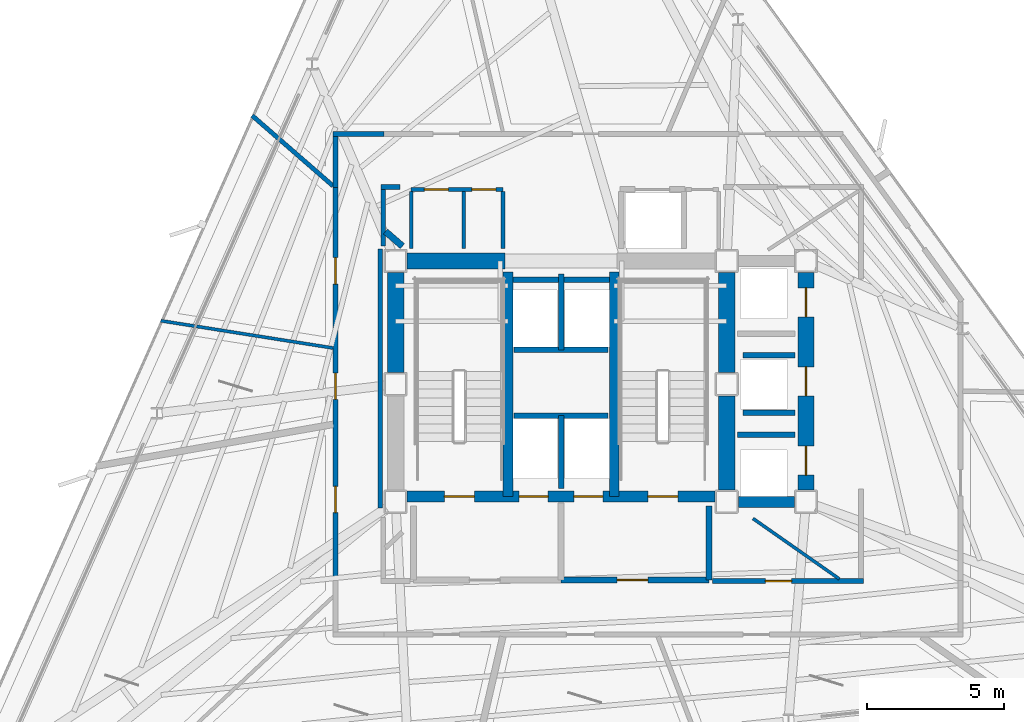
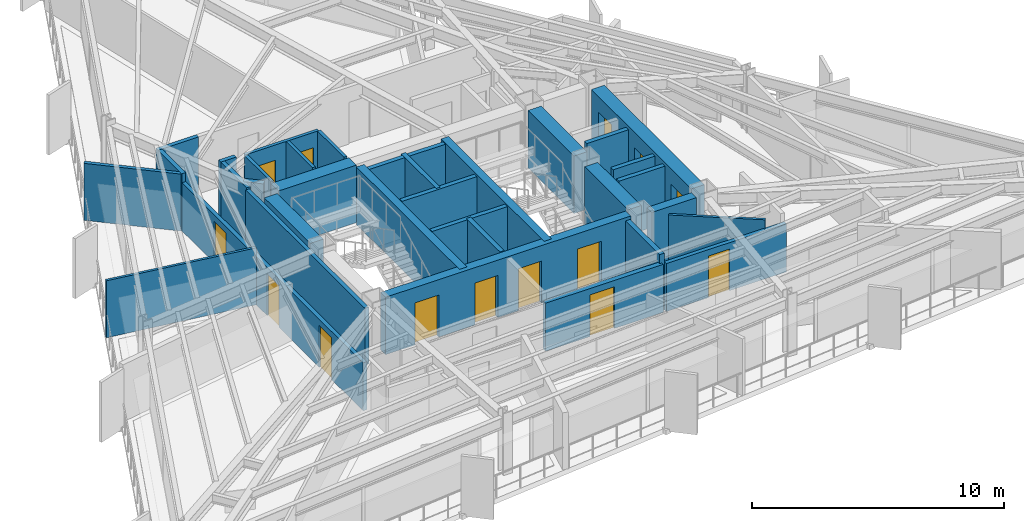
# One storey, part 8 of 12: 34 walls, 14 doors, 14 openings.
"""IFC4 building model written with IfcOpenShell, lengths in metres."""

from ifc_helpers import new_model, si_unit, direction, frame, frame_2d, origin, place, context, subcontext, project, spatial, rectangle, extrude, material, layer, layer_set, type_object, element, fill, save


model = new_model("IFC4")

# Units and contexts
model_context = context("Model", 3, precision=1e-05, world=origin(), true_north=direction((0.0, 1.0)))
body_context = subcontext(model_context, "Body", "Model", "MODEL_VIEW")
ifc_project = project(units=[si_unit("LENGTHUNIT", "METRE"), si_unit("AREAUNIT", "SQUARE_METRE"), si_unit("VOLUMEUNIT", "CUBIC_METRE"), si_unit("PLANEANGLEUNIT", "RADIAN"), si_unit("MASSUNIT", "GRAM", prefix="KILO")], contexts=[model_context])

# Site, building, storey
site_placement = place(None, origin())
site = spatial("IfcSite", under=ifc_project, at=site_placement, CompositionType="ELEMENT")
building_placement = place(site_placement, origin())
building = spatial("IfcBuilding", under=site, at=building_placement, Name="Rocaltana Carrier Exchange", CompositionType="ELEMENT")
storey_placement = place(building_placement, frame((0.0, 0.0, 113.760009765625)))
storey = spatial("IfcBuildingStorey", under=building, at=storey_placement, Name="L35", CompositionType="ELEMENT", Elevation=113.760009765625)

# Walls
ifc_material_1 = material(Name="Double Acoustic Gypsum Partition", Category="gypsum")
ifc_layer_1 = layer(ifc_material_1, 0.159912109375)
ifc_layer_set_1 = layer_set([ifc_layer_1], Name="Double Acoustic Gypsum Partition")
wall_type_1 = type_object("IfcWallType", Name="Acoustic Studio Partition 160 EI60", PredefinedType="PARTITIONING", material=ifc_layer_set_1)
wall_1_placement = place(storey_placement, frame((-8.330078125, 7.2412109375, 0.0), z_axis=(0.0, 0.0, 1.0), x_axis=(-0.754715330954, 0.656052413472, 0.0)))
element("IfcWall", 1, at=wall_1_placement, inside=storey, type_object=wall_type_1, Name="L35 Suite Divider Wall D14", PredefinedType="PARTITIONING", context=body_context, shape_type="SweptSolid", body=[
    extrude(rectangle(XDim=3.924560546875, YDim=0.159912109375, at=frame_2d((1.96240234375, 0.0))), origin(), (0.0, 0.0, 1.0), 2.762939453125),
])
ifc_material_2 = material(Name="Concrete C50/60", Category="concrete")
ifc_layer_2 = layer(ifc_material_2, 0.35009765625)
ifc_layer_set_2 = layer_set([ifc_layer_2], Name="Concrete C50/60")
wall_type_2 = type_object("IfcWallType", Name="Core Internal Shear Wall 350", PredefinedType="SHEAR", material=ifc_layer_set_2)
for number, where, z_axis, x_axis, name in (
    (2, (-1.93994140625, -4.10009765625, 0.0), (0.0, 0.0, 1.0), (0.0, 1.0, 0.0), "L35 Core Shear Wall CW-STW"),
    (3, (1.93994140625, -4.10009765625, 0.0), (0.0, 0.0, 1.0), (0.0, 1.0, 0.0), "L35 Core Shear Wall CW-STE"),
):
    element("IfcWall", number, at=place(storey_placement, frame(where, z_axis=z_axis, x_axis=x_axis)), inside=storey, type_object=wall_type_2, Name=name, PredefinedType="SHEAR", context=body_context, shape_type="SweptSolid", body=[
        extrude(rectangle(XDim=8.2001953125, YDim=0.35009765625, at=frame_2d((4.10009765625, 0.0))), origin(), (0.0, 0.0, 1.0), 2.7880859375),
    ])

# Wall, openings, doors
ifc_material_3 = material(Name="Concrete C50/60", Category="concrete")
ifc_layer_3 = layer(ifc_material_3, 0.39990234375)
ifc_layer_set_3 = layer_set([ifc_layer_3], Name="Concrete C50/60")
wall_type_3 = type_object("IfcWallType", Name="Core Internal Shear Wall 400", PredefinedType="SHEAR", material=ifc_layer_set_3)
wall_2_placement = place(storey_placement, frame((-5.625, -4.10009765625, 0.0), z_axis=(0.0, 0.0, 1.0), x_axis=(1.0, 0.0, 0.0)))
wall_2 = element("IfcWall", 4, at=wall_2_placement, inside=storey, type_object=wall_type_3, Name="L35 Core Shear Wall CW-S", PredefinedType="SHEAR", context=body_context, shape_type="SweptSolid", body=[
    extrude(rectangle(XDim=11.25, YDim=0.39990234375, at=frame_2d((5.625, 0.0))), origin(), (0.0, 0.0, 1.0), 2.7880859375),
])
opening_1_placement = place(wall_2_placement, frame((1.35498046875, 0.0, 0.0)))
opening_1 = element("IfcOpeningElement", 5, at=opening_1_placement, cuts=wall_2, Name="Opening D-ST110", PredefinedType="OPENING", context=body_context, shape_type="SweptSolid", body=[
    extrude(rectangle(XDim=1.10009765625, YDim=2.0400390625, at=frame_2d((0.550048828125, 1.02001953125))), frame((0.0, 0.2099609375, 0.0), z_axis=(0.0, -1.0, 0.0), x_axis=(1.0, 0.0, 0.0)), (0.0, 0.0, 1.0), 0.419921875),
])
opening_2_placement = place(wall_2_placement, frame((8.794921875, 0.0, 0.0)))
opening_2 = element("IfcOpeningElement", 6, at=opening_2_placement, cuts=wall_2, Name="Opening D-ST110", PredefinedType="OPENING", context=body_context, shape_type="SweptSolid", body=[
    extrude(rectangle(XDim=1.10009765625, YDim=2.0400390625, at=frame_2d((0.550048828125, 1.02001953125))), frame((0.0, 0.2099609375, 0.0), z_axis=(0.0, -1.0, 0.0), x_axis=(1.0, 0.0, 0.0)), (0.0, 0.0, 1.0), 0.419921875),
])
opening_3_placement = place(wall_2_placement, frame((4.094970703125, 0.0, 0.0)))
opening_3 = element("IfcOpeningElement", 7, at=opening_3_placement, cuts=wall_2, Name="Opening LD-110", PredefinedType="OPENING", context=body_context, shape_type="SweptSolid", body=[
    extrude(rectangle(XDim=1.06005859375, YDim=2.0400390625, at=frame_2d((0.530029296875, 1.02001953125))), frame((0.0, 0.2099609375, 0.0), z_axis=(0.0, -1.0, 0.0), x_axis=(1.0, 0.0, 0.0)), (0.0, 0.0, 1.0), 0.419921875),
])
opening_4_placement = place(wall_2_placement, frame((6.094970703125, 0.0, 0.0)))
opening_4 = element("IfcOpeningElement", 8, at=opening_4_placement, cuts=wall_2, Name="Opening LD-110", PredefinedType="OPENING", context=body_context, shape_type="SweptSolid", body=[
    extrude(rectangle(XDim=1.06005859375, YDim=2.0400390625, at=frame_2d((0.530029296875, 1.02001953125))), frame((0.0, 0.2099609375, 0.0), z_axis=(0.0, -1.0, 0.0), x_axis=(1.0, 0.0, 0.0)), (0.0, 0.0, 1.0), 0.419921875),
])
ifc_material_4 = material(Name="Hollow Metal Fire Door Assembly", Category="steel")
door_type_1 = type_object("IfcDoorType", Name="Exit Stair Fire Door 1100x2040 FD90S", OperationType="NOTDEFINED", PredefinedType="DOOR", material=ifc_material_4)
door_1_placement = place(opening_1_placement, origin())
door_1 = element("IfcDoor", 9, at=door_1_placement, inside=storey, type_object=door_type_1, Name="L35 Exit Stair ST1 Fire Door", OperationType="SINGLE_SWING_LEFT", OverallHeight=2.0400390625, OverallWidth=1.10009765625, PredefinedType="DOOR", context=body_context, shape_type="SweptSolid", body=[
    extrude(rectangle(XDim=1.10009765625, YDim=2.0400390625, at=frame_2d((0.550048828125, 1.02001953125))), frame((0.0, 0.02490234375, 0.0), z_axis=(0.0, -1.0, 0.0), x_axis=(1.0, 0.0, 0.0)), (0.0, 0.0, 1.0), 0.050048828125),
])
fill(opening_1, door_1)
door_2_placement = place(opening_2_placement, origin())
door_2 = element("IfcDoor", 10, at=door_2_placement, inside=storey, type_object=door_type_1, Name="L35 Exit Stair ST2 Fire Door", OperationType="SINGLE_SWING_RIGHT", OverallHeight=2.0400390625, OverallWidth=1.10009765625, PredefinedType="DOOR", context=body_context, shape_type="SweptSolid", body=[
    extrude(rectangle(XDim=1.10009765625, YDim=2.0400390625, at=frame_2d((0.550048828125, 1.02001953125))), frame((0.0, 0.02490234375, 0.0), z_axis=(0.0, -1.0, 0.0), x_axis=(1.0, 0.0, 0.0)), (0.0, 0.0, 1.0), 0.050048828125),
])
fill(opening_2, door_2)
ifc_material_5 = material(Name="Brushed Stainless Sliding Door Leaf", Category="steel")
door_type_2 = type_object("IfcDoorType", Name="Lift Landing Sliding Door 1060x2040", OperationType="NOTDEFINED", PredefinedType="DOOR", material=ifc_material_5)
door_3_placement = place(opening_3_placement, origin())
door_3 = element("IfcDoor", 11, at=door_3_placement, inside=storey, type_object=door_type_2, Name="L35 Firefighting Lift FFL1 Landing Door", OperationType="SLIDING_TO_LEFT", OverallHeight=2.0400390625, OverallWidth=1.06005859375, PredefinedType="DOOR", context=body_context, shape_type="SweptSolid", body=[
    extrude(rectangle(XDim=1.06005859375, YDim=2.0400390625, at=frame_2d((0.530029296875, 1.02001953125))), frame((0.0, 0.02490234375, 0.0), z_axis=(0.0, -1.0, 0.0), x_axis=(1.0, 0.0, 0.0)), (0.0, 0.0, 1.0), 0.050048828125),
])
fill(opening_3, door_3)
door_4_placement = place(opening_4_placement, origin())
door_4 = element("IfcDoor", 12, at=door_4_placement, inside=storey, type_object=door_type_2, Name="L35 Firefighting Lift FFL2 Landing Door", OperationType="SLIDING_TO_RIGHT", OverallHeight=2.0400390625, OverallWidth=1.06005859375, PredefinedType="DOOR", context=body_context, shape_type="SweptSolid", body=[
    extrude(rectangle(XDim=1.06005859375, YDim=2.0400390625, at=frame_2d((0.530029296875, 1.02001953125))), frame((0.0, 0.02490234375, 0.0), z_axis=(0.0, -1.0, 0.0), x_axis=(1.0, 0.0, 0.0)), (0.0, 0.0, 1.0), 0.050048828125),
])
fill(opening_4, door_4)

# Walls
wall_3_placement = place(storey_placement, frame((6.47509765625, -4.300048828125, 0.0), z_axis=(0.0, 0.0, 1.0), x_axis=(1.0, 0.0, 0.0)))
element("IfcWall", 13, at=wall_3_placement, inside=storey, type_object=wall_type_3, Name="L35 Core Shear Wall CW-EWS", PredefinedType="SHEAR", context=body_context, shape_type="SweptSolid", body=[
    extrude(rectangle(XDim=2.0498046875, YDim=0.39990234375, at=frame_2d((1.02490234375, 0.0))), origin(), (0.0, 0.0, 1.0), 2.7880859375),
])
ifc_material_6 = material(Name="Concrete C50/60", Category="concrete")
ifc_layer_4 = layer(ifc_material_6, 0.60009765625)
ifc_layer_set_4 = layer_set([ifc_layer_4], Name="Concrete C50/60")
wall_type_4 = type_object("IfcWallType", Name="Core Shear Wall 600", PredefinedType="SHEAR", material=ifc_layer_set_4)
for number, where, z_axis, x_axis, name in (
    (14, (-6.050048828125, 0.425048828125, 0.0), (0.0, 0.0, 1.0), (0.0, 1.0, 0.0), "L35 Core Shear Wall CW-WN"),
    (15, (6.050048828125, 0.425048828125, 0.0), (0.0, 0.0, 1.0), (0.0, 1.0, 0.0), "L35 Core Shear Wall CW-EN"),
):
    element("IfcWall", number, at=place(storey_placement, frame(where, z_axis=z_axis, x_axis=x_axis)), inside=storey, type_object=wall_type_4, Name=name, PredefinedType="SHEAR", context=body_context, shape_type="SweptSolid", body=[
        extrude(rectangle(XDim=3.64990234375, YDim=0.60009765625, at=frame_2d((1.824951171875, 0.0))), origin(), (0.0, 0.0, 1.0), 2.7880859375),
    ])
wall_4_placement = place(storey_placement, frame((6.050048828125, -3.875, 0.0), z_axis=(0.0, 0.0, 1.0), x_axis=(0.0, 1.0, 0.0)))
element("IfcWall", 16, at=wall_4_placement, inside=storey, type_object=wall_type_4, Name="L35 Core Shear Wall CW-ES", PredefinedType="SHEAR", context=body_context, shape_type="SweptSolid", body=[
    extrude(rectangle(XDim=3.449951171875, YDim=0.60009765625, at=frame_2d((1.72509765625, 0.0))), origin(), (0.0, 0.0, 1.0), 2.7880859375),
])
wall_5_placement = place(storey_placement, frame((-5.625, 4.5, 0.0), z_axis=(0.0, 0.0, 1.0), x_axis=(1.0, 0.0, 0.0)))
element("IfcWall", 17, at=wall_5_placement, inside=storey, type_object=wall_type_4, Name="L35 Core Shear Wall CW-N1", PredefinedType="SHEAR", context=body_context, shape_type="SweptSolid", body=[
    extrude(rectangle(XDim=3.574951171875, YDim=0.60009765625, at=frame_2d((1.78759765625, 0.0))), origin(), (0.0, 0.0, 1.0), 2.7880859375),
])

# Wall, openings, doors
wall_6_placement = place(storey_placement, frame((8.949951171875, -3.875, 0.0), z_axis=(0.0, 0.0, 1.0), x_axis=(0.0, 1.0, 0.0)))
wall_6 = element("IfcWall", 18, at=wall_6_placement, inside=storey, type_object=wall_type_4, Name="L35 Core Shear Wall CW-EW", PredefinedType="SHEAR", context=body_context, shape_type="SweptSolid", body=[
    extrude(rectangle(XDim=7.949951171875, YDim=0.60009765625, at=frame_2d((3.97509765625, 0.0))), origin(), (0.0, 0.0, 1.0), 2.7880859375),
])
opening_5_placement = place(wall_6_placement, frame((0.550048828125, 0.0, 0.0)))
opening_5 = element("IfcOpeningElement", 19, at=opening_5_placement, cuts=wall_6, Name="Opening LD-110", PredefinedType="OPENING", context=body_context, shape_type="SweptSolid", body=[
    extrude(rectangle(XDim=1.06005859375, YDim=2.0400390625, at=frame_2d((0.530029296875, 1.02001953125))), frame((0.0, 0.31005859375, 0.0), z_axis=(0.0, -1.0, 0.0), x_axis=(1.0, 0.0, 0.0)), (0.0, 0.0, 1.0), 0.6201171875),
])
opening_6_placement = place(wall_6_placement, frame((3.445068359375, 0.0, 0.0)))
opening_6 = element("IfcOpeningElement", 20, at=opening_6_placement, cuts=wall_6, Name="Opening LD-110", PredefinedType="OPENING", context=body_context, shape_type="SweptSolid", body=[
    extrude(rectangle(XDim=1.06005859375, YDim=2.0400390625, at=frame_2d((0.530029296875, 1.02001953125))), frame((0.0, 0.31005859375, 0.0), z_axis=(0.0, -1.0, 0.0), x_axis=(1.0, 0.0, 0.0)), (0.0, 0.0, 1.0), 0.6201171875),
])
opening_7_placement = place(wall_6_placement, frame((6.330078125, 0.0, 0.0)))
opening_7 = element("IfcOpeningElement", 21, at=opening_7_placement, cuts=wall_6, Name="Opening LD-110", PredefinedType="OPENING", context=body_context, shape_type="SweptSolid", body=[
    extrude(rectangle(XDim=1.06005859375, YDim=2.0400390625, at=frame_2d((0.530029296875, 1.02001953125))), frame((0.0, 0.31005859375, 0.0), z_axis=(0.0, -1.0, 0.0), x_axis=(1.0, 0.0, 0.0)), (0.0, 0.0, 1.0), 0.6201171875),
])
door_5_placement = place(opening_5_placement, origin())
door_5 = element("IfcDoor", 22, at=door_5_placement, inside=storey, type_object=door_type_2, Name="L35 Mid-Rise Lift PL-M1 Landing Door", OperationType="SLIDING_TO_LEFT", OverallHeight=2.0400390625, OverallWidth=1.06005859375, PredefinedType="DOOR", context=body_context, shape_type="SweptSolid", body=[
    extrude(rectangle(XDim=1.06005859375, YDim=2.0400390625, at=frame_2d((0.530029296875, 1.02001953125))), frame((0.0, 0.02490234375, 0.0), z_axis=(0.0, -1.0, 0.0), x_axis=(1.0, 0.0, 0.0)), (0.0, 0.0, 1.0), 0.050048828125),
])
fill(opening_5, door_5)
door_6_placement = place(opening_6_placement, origin())
door_6 = element("IfcDoor", 23, at=door_6_placement, inside=storey, type_object=door_type_2, Name="L35 Mid-Rise Lift PL-M2 Landing Door", OperationType="SLIDING_TO_RIGHT", OverallHeight=2.0400390625, OverallWidth=1.06005859375, PredefinedType="DOOR", context=body_context, shape_type="SweptSolid", body=[
    extrude(rectangle(XDim=1.06005859375, YDim=2.0400390625, at=frame_2d((0.530029296875, 1.02001953125))), frame((0.0, 0.02490234375, 0.0), z_axis=(0.0, -1.0, 0.0), x_axis=(1.0, 0.0, 0.0)), (0.0, 0.0, 1.0), 0.050048828125),
])
fill(opening_6, door_6)
door_7_placement = place(opening_7_placement, origin())
door_7 = element("IfcDoor", 24, at=door_7_placement, inside=storey, type_object=door_type_2, Name="L35 Mid-Rise Lift PL-M3 Landing Door", OperationType="SLIDING_TO_LEFT", OverallHeight=2.0400390625, OverallWidth=1.06005859375, PredefinedType="DOOR", context=body_context, shape_type="SweptSolid", body=[
    extrude(rectangle(XDim=1.06005859375, YDim=2.0400390625, at=frame_2d((0.530029296875, 1.02001953125))), frame((0.0, 0.02490234375, 0.0), z_axis=(0.0, -1.0, 0.0), x_axis=(1.0, 0.0, 0.0)), (0.0, 0.0, 1.0), 0.050048828125),
])
fill(opening_7, door_7)

ifc_material_7 = material(Name="Gypsum & Steel Stud Partition", Category="steel")
ifc_layer_5 = layer(ifc_material_7, 0.179931640625)
ifc_layer_set_5 = layer_set([ifc_layer_5], Name="Gypsum & Steel Stud Partition")
wall_type_5 = type_object("IfcWallType", Name="Corridor Fire Partition 180 EI60", PredefinedType="PARTITIONING", material=ifc_layer_set_5)
wall_7_placement = place(storey_placement, frame((-8.25, -7.219970703125, 0.0), z_axis=(0.0, 0.0, 1.0), x_axis=(0.0, 1.0, 0.0)))
wall_7 = element("IfcWall", 25, at=wall_7_placement, inside=storey, type_object=wall_type_5, Name="L35 Corridor Partition 3", PredefinedType="PARTITIONING", context=body_context, shape_type="SweptSolid", body=[
    extrude(rectangle(XDim=14.43994140625, YDim=0.179931640625, at=frame_2d((7.219970703125, 0.0))), origin(), (0.0, 0.0, 1.0), 2.330078125),
])
opening_8_placement = place(wall_7_placement, frame((6.665283203125, 0.0, 0.0)))
opening_8 = element("IfcOpeningElement", 26, at=opening_8_placement, cuts=wall_7, Name="Opening D-RM098", PredefinedType="OPENING", context=body_context, shape_type="SweptSolid", body=[
    extrude(rectangle(XDim=0.9599609375, YDim=2.02001953125, at=frame_2d((0.47998046875, 1.010009765625))), frame((0.0, 0.099853515625, 0.0), z_axis=(0.0, -1.0, 0.0), x_axis=(1.0, 0.0, 0.0)), (0.0, 0.0, 1.0), 0.199951171875),
])
opening_9_placement = place(wall_7_placement, frame((2.525146484375, 0.0, 0.0)))
opening_9 = element("IfcOpeningElement", 27, at=opening_9_placement, cuts=wall_7, Name="Opening D-RM098", PredefinedType="OPENING", context=body_context, shape_type="SweptSolid", body=[
    extrude(rectangle(XDim=0.9599609375, YDim=2.02001953125, at=frame_2d((0.47998046875, 1.010009765625))), frame((0.0, 0.099853515625, 0.0), z_axis=(0.0, -1.0, 0.0), x_axis=(1.0, 0.0, 0.0)), (0.0, 0.0, 1.0), 0.199951171875),
])
opening_10_placement = place(wall_7_placement, frame((10.8798828125, 0.0, 0.0)))
opening_10 = element("IfcOpeningElement", 28, at=opening_10_placement, cuts=wall_7, Name="Opening D-RM098", PredefinedType="OPENING", context=body_context, shape_type="SweptSolid", body=[
    extrude(rectangle(XDim=0.9599609375, YDim=2.02001953125, at=frame_2d((0.47998046875, 1.010009765625))), frame((0.0, 0.099853515625, 0.0), z_axis=(0.0, -1.0, 0.0), x_axis=(1.0, 0.0, 0.0)), (0.0, 0.0, 1.0), 0.199951171875),
])
ifc_material_8 = material(Name="Engineered Hardwood Timber", Category="wood")
door_type_3 = type_object("IfcDoorType", Name="Workspace Single Door 960x2020", OperationType="NOTDEFINED", PredefinedType="DOOR", material=ifc_material_8)
door_8_placement = place(opening_8_placement, origin())
door_8 = element("IfcDoor", 29, at=door_8_placement, inside=storey, type_object=door_type_3, Name="L35 Peering Conference Room Entrance Door", OperationType="SINGLE_SWING_RIGHT", OverallHeight=2.02001953125, OverallWidth=0.9599609375, PredefinedType="DOOR", context=body_context, shape_type="SweptSolid", body=[
    extrude(rectangle(XDim=0.9599609375, YDim=2.02001953125, at=frame_2d((0.47998046875, 1.010009765625))), frame((0.0, 0.02490234375, 0.0), z_axis=(0.0, -1.0, 0.0), x_axis=(1.0, 0.0, 0.0)), (0.0, 0.0, 1.0), 0.050048828125),
])
fill(opening_8, door_8)
door_9_placement = place(opening_9_placement, origin())
door_9 = element("IfcDoor", 30, at=door_9_placement, inside=storey, type_object=door_type_3, Name="L35 Incident Briefing Room Entrance Door", OperationType="SINGLE_SWING_LEFT", OverallHeight=2.02001953125, OverallWidth=0.9599609375, PredefinedType="DOOR", context=body_context, shape_type="SweptSolid", body=[
    extrude(rectangle(XDim=0.9599609375, YDim=2.02001953125, at=frame_2d((0.47998046875, 1.010009765625))), frame((0.0, 0.02490234375, 0.0), z_axis=(0.0, -1.0, 0.0), x_axis=(1.0, 0.0, 0.0)), (0.0, 0.0, 1.0), 0.050048828125),
])
fill(opening_9, door_9)
door_10_placement = place(opening_10_placement, origin())
door_10 = element("IfcDoor", 31, at=door_10_placement, inside=storey, type_object=door_type_3, Name="L35 Peering Conference Room Entrance Door", OperationType="SINGLE_SWING_RIGHT", OverallHeight=2.02001953125, OverallWidth=0.9599609375, PredefinedType="DOOR", context=body_context, shape_type="SweptSolid", body=[
    extrude(rectangle(XDim=0.9599609375, YDim=2.02001953125, at=frame_2d((0.47998046875, 1.010009765625))), frame((0.0, 0.02490234375, 0.0), z_axis=(0.0, -1.0, 0.0), x_axis=(1.0, 0.0, 0.0)), (0.0, 0.0, 1.0), 0.050048828125),
])
fill(opening_10, door_10)

# Walls
wall_8_placement = place(storey_placement, frame((-8.25, 7.179931640625, 0.0), z_axis=(0.0, 0.0, 1.0), x_axis=(0.0, 1.0, 0.0)))
element("IfcWall", 32, at=wall_8_placement, inside=storey, type_object=wall_type_5, Name="L35 Corridor Partition 4", PredefinedType="PARTITIONING", context=body_context, shape_type="SweptSolid", body=[
    extrude(rectangle(XDim=1.880126953125, YDim=0.179931640625, at=frame_2d((0.93994140625, 0.0))), origin(), (0.0, 0.0, 1.0), 2.762939453125),
])
wall_9_placement = place(storey_placement, frame((-8.340087890625, 9.14990234375, 0.0), z_axis=(0.0, 0.0, 1.0), x_axis=(1.0, 0.0, 0.0)))
element("IfcWall", 33, at=wall_9_placement, inside=storey, type_object=wall_type_5, Name="L35 Corridor Partition 5", PredefinedType="PARTITIONING", context=body_context, shape_type="SweptSolid", body=[
    extrude(rectangle(XDim=1.860107421875, YDim=0.179931640625, at=frame_2d((0.93017578125, 0.0))), origin(), (0.0, 0.0, 1.0), 2.762939453125),
])

# Wall, opening, door
wall_10_placement = place(storey_placement, frame((5.530029296875, -7.199951171875, 0.0), z_axis=(0.0, 0.0, 1.0), x_axis=(1.0, 0.0, 0.0)))
wall_10 = element("IfcWall", 34, at=wall_10_placement, inside=storey, type_object=wall_type_5, Name="L35 Corridor Partition 12", PredefinedType="PARTITIONING", context=body_context, shape_type="SweptSolid", body=[
    extrude(rectangle(XDim=5.52001953125, YDim=0.179931640625, at=frame_2d((2.760009765625, 0.0))), origin(), (0.0, 0.0, 1.0), 2.330078125),
])
opening_11_placement = place(wall_10_placement, frame((1.939697265625, 0.0, 0.0)))
opening_11 = element("IfcOpeningElement", 35, at=opening_11_placement, cuts=wall_10, Name="Opening D-RM098", PredefinedType="OPENING", context=body_context, shape_type="SweptSolid", body=[
    extrude(rectangle(XDim=0.9599609375, YDim=2.02001953125, at=frame_2d((0.47998046875, 1.010009765625))), frame((0.0, 0.099853515625, 0.0), z_axis=(0.0, -1.0, 0.0), x_axis=(1.0, 0.0, 0.0)), (0.0, 0.0, 1.0), 0.199951171875),
])
door_11_placement = place(opening_11_placement, origin())
door_11 = element("IfcDoor", 36, at=door_11_placement, inside=storey, type_object=door_type_3, Name="L35 Peering Conference Room Entrance Door", OperationType="SINGLE_SWING_LEFT", OverallHeight=2.02001953125, OverallWidth=0.9599609375, PredefinedType="DOOR", context=body_context, shape_type="SweptSolid", body=[
    extrude(rectangle(XDim=0.9599609375, YDim=2.02001953125, at=frame_2d((0.47998046875, 1.010009765625))), frame((0.0, 0.02490234375, 0.0), z_axis=(0.0, -1.0, 0.0), x_axis=(1.0, 0.0, 0.0)), (0.0, 0.0, 1.0), 0.050048828125),
])
fill(opening_11, door_11)

# Walls
wall_11_placement = place(storey_placement, frame((-5.8798828125, 7.199951171875, 0.0), z_axis=(0.0, 0.0, 1.0), x_axis=(-1.0, 0.0, 0.0)))
element("IfcWall", 37, at=wall_11_placement, inside=storey, type_object=wall_type_5, Name="L35 Corridor Partition 16", PredefinedType="PARTITIONING", context=body_context, shape_type="SweptSolid", body=[
    extrude(rectangle(XDim=0.710205078125, YDim=0.179931640625, at=frame_2d((0.35498046875, 0.0))), origin(), (0.0, 0.0, 1.0), 2.762939453125),
])
wall_12_placement = place(storey_placement, frame((-6.5, 7.110107421875, 0.0), z_axis=(0.0, 0.0, 1.0), x_axis=(0.0, -1.0, 0.0)))
element("IfcWall", 38, at=wall_12_placement, inside=storey, type_object=wall_type_5, Name="L35 Corridor Partition 17", PredefinedType="PARTITIONING", context=body_context, shape_type="SweptSolid", body=[
    extrude(rectangle(XDim=2.058349609375, YDim=0.179931640625, at=frame_2d((1.029296875, 0.0))), origin(), (0.0, 0.0, 1.0), 2.762939453125),
])
wall_13_placement = place(storey_placement, frame((-6.610107421875, 4.93994140625, 0.0), z_axis=(0.0, 0.0, 1.0), x_axis=(0.0, -1.0, 0.0)))
element("IfcWall", 39, at=wall_13_placement, inside=storey, type_object=wall_type_5, Name="L35 Corridor Partition 18", PredefinedType="PARTITIONING", context=body_context, shape_type="SweptSolid", body=[
    extrude(rectangle(XDim=9.4599609375, YDim=0.179931640625, at=frame_2d((4.72998046875, 0.0))), origin(), (0.0, 0.0, 1.0), 2.762939453125),
])
ifc_material_9 = material(Name="Aluminium 6063-T6 & Acoustic Glass", Category="aluminium")
ifc_layer_6 = layer(ifc_material_9, 0.114990234375)
ifc_layer_set_6 = layer_set([ifc_layer_6], Name="Aluminium 6063-T6 & Acoustic Glass")
wall_type_6 = type_object("IfcWallType", Name="Demountable Glazed Lab Partition 115", PredefinedType="MOVABLE", material=ifc_layer_set_6)
wall_14_placement = place(storey_placement, frame((7.01220703125, -4.909912109375, 0.0), z_axis=(0.0, 0.0, 1.0), x_axis=(0.819130700295, -0.573606917526, 0.0)))
element("IfcWall", 40, at=wall_14_placement, inside=storey, type_object=wall_type_6, Name="L35 Suite Divider Wall D6", PredefinedType="MOVABLE", context=body_context, shape_type="SweptSolid", body=[
    extrude(rectangle(XDim=3.853271484375, YDim=0.114990234375, at=frame_2d((1.9267578125, 0.0))), origin(), (0.0, 0.0, 1.0), 2.762939453125),
])
wall_15_placement = place(storey_placement, frame((-8.330078125, 1.3193359375, 0.0), z_axis=(0.0, 0.0, 1.0), x_axis=(-0.987684953503, 0.156455848798, 0.0)))
element("IfcWall", 41, at=wall_15_placement, inside=storey, type_object=wall_type_6, Name="L35 Suite Divider Wall D15", PredefinedType="MOVABLE", context=body_context, shape_type="SweptSolid", body=[
    extrude(rectangle(XDim=6.379150390625, YDim=0.114990234375, at=frame_2d((3.189453125, 0.0))), origin(), (0.0, 0.0, 1.0), 2.762939453125),
])
ifc_material_10 = material(Name="Autoclaved Aerated Concrete C30/37", Category="concrete")
ifc_layer_7 = layer(ifc_material_10, 0.219970703125)
ifc_layer_set_7 = layer_set([ifc_layer_7], Name="Autoclaved Aerated Concrete C30/37")
wall_type_7 = type_object("IfcWallType", Name="Firefighting Lobby Wall 220 EI120", PredefinedType="PARTITIONING", material=ifc_layer_set_7)
wall_16_placement = place(storey_placement, frame((5.39990234375, -7.159912109375, 0.0), z_axis=(0.0, 0.0, 1.0), x_axis=(0.0, 1.0, 0.0)))
element("IfcWall", 42, at=wall_16_placement, inside=storey, type_object=wall_type_7, Name="L35 FFL Lobby 2 East Wall", PredefinedType="PARTITIONING", context=body_context, shape_type="SweptSolid", body=[
    extrude(rectangle(XDim=2.7099609375, YDim=0.219970703125, at=frame_2d((1.35498046875, 0.0))), origin(), (0.0, 0.0, 1.0), 2.762939453125),
])

# Wall, opening, door
wall_17_placement = place(storey_placement, frame((0.0, -7.159912109375, 0.0), z_axis=(0.0, 0.0, 1.0), x_axis=(1.0, 0.0, 0.0)))
wall_17 = element("IfcWall", 43, at=wall_17_placement, inside=storey, type_object=wall_type_7, Name="L35 FFL Lobby 2 South Wall", PredefinedType="PARTITIONING", context=body_context, shape_type="SweptSolid", body=[
    extrude(rectangle(XDim=5.39990234375, YDim=0.219970703125, at=frame_2d((2.699951171875, 0.0))), origin(), (0.0, 0.0, 1.0), 2.330078125),
])
opening_12_placement = place(wall_17_placement, frame((2.050048828125, 0.0, 0.0)))
opening_12 = element("IfcOpeningElement", 44, at=opening_12_placement, cuts=wall_17, Name="Opening D-FF115", PredefinedType="OPENING", context=body_context, shape_type="SweptSolid", body=[
    extrude(rectangle(XDim=1.1201171875, YDim=2.02001953125, at=frame_2d((0.56005859375, 1.010009765625))), frame((0.0, 0.119873046875, 0.0), z_axis=(0.0, -1.0, 0.0), x_axis=(1.0, 0.0, 0.0)), (0.0, 0.0, 1.0), 0.239990234375),
])
ifc_material_11 = material(Name="Hollow Metal Fire Door Assembly", Category="steel")
door_type_4 = type_object("IfcDoorType", Name="Firefighting Lobby Door 1120x2020 FD60S", OperationType="NOTDEFINED", PredefinedType="DOOR", material=ifc_material_11)
door_12_placement = place(opening_12_placement, origin())
door_12 = element("IfcDoor", 45, at=door_12_placement, inside=storey, type_object=door_type_4, Name="L35 Firefighting Lift Lobby 2 Door", OperationType="SINGLE_SWING_RIGHT", OverallHeight=2.02001953125, OverallWidth=1.1201171875, PredefinedType="DOOR", context=body_context, shape_type="SweptSolid", body=[
    extrude(rectangle(XDim=1.1201171875, YDim=2.02001953125, at=frame_2d((0.56005859375, 1.010009765625))), frame((0.0, 0.02490234375, 0.0), z_axis=(0.0, -1.0, 0.0), x_axis=(1.0, 0.0, 0.0)), (0.0, 0.0, 1.0), 0.050048828125),
])
fill(opening_12, door_12)

# Walls
ifc_material_12 = material(Name="Acoustic Calcium Silicate Partition", Category="gypsum")
ifc_layer_8 = layer(ifc_material_12, 0.239990234375)
ifc_layer_set_8 = layer_set([ifc_layer_8], Name="Acoustic Calcium Silicate Partition")
wall_type_8 = type_object("IfcWallType", Name="Heavy Lab Partition 240 EI90", PredefinedType="PARTITIONING", material=ifc_layer_set_8)
wall_18_placement = place(storey_placement, frame((-5.800048828125, 5.0419921875, 0.0), z_axis=(0.0, 0.0, 1.0), x_axis=(-0.754727098443, 0.65603887604, 0.0)))
element("IfcWall", 46, at=wall_18_placement, inside=storey, type_object=wall_type_8, Name="L35 Suite Divider Wall D13", PredefinedType="PARTITIONING", context=body_context, shape_type="SweptSolid", body=[
    extrude(rectangle(XDim=0.8212890625, YDim=0.239990234375, at=frame_2d((0.41064453125, 0.0))), origin(), (0.0, 0.0, 1.0), 2.762939453125),
])
ifc_material_13 = material(Name="Reinforced Concrete Block C35/45", Category="concrete")
ifc_layer_9 = layer(ifc_material_13, 0.199951171875)
ifc_layer_set_9 = layer_set([ifc_layer_9], Name="Reinforced Concrete Block C35/45")
wall_type_9 = type_object("IfcWallType", Name="Lift Hoistway Enclosure Wall 200 EI120", PredefinedType="PARTITIONING", material=ifc_layer_set_9)
wall_19_placement = place(storey_placement, frame((0.0, -3.820068359375, 0.0), z_axis=(0.0, 0.0, 1.0), x_axis=(0.0, 1.0, 0.0)))
element("IfcWall", 47, at=wall_19_placement, inside=storey, type_object=wall_type_9, Name="L35 FFL Shaft Divider", PredefinedType="PARTITIONING", context=body_context, shape_type="SweptSolid", body=[
    extrude(rectangle(XDim=2.670166015625, YDim=0.199951171875, at=frame_2d((1.3349609375, 0.0))), origin(), (0.0, 0.0, 1.0), 2.762939453125),
])
wall_20_placement = place(storey_placement, frame((-1.719970703125, -1.14990234375, 0.0), z_axis=(0.0, 0.0, 1.0), x_axis=(1.0, 0.0, 0.0)))
element("IfcWall", 48, at=wall_20_placement, inside=storey, type_object=wall_type_9, Name="L35 FFL Shaft Back Wall", PredefinedType="PARTITIONING", context=body_context, shape_type="SweptSolid", body=[
    extrude(rectangle(XDim=3.43994140625, YDim=0.199951171875, at=frame_2d((1.719970703125, 0.0))), origin(), (0.0, 0.0, 1.0), 2.762939453125),
])
wall_21_placement = place(storey_placement, frame((0.0, 1.25, 0.0), z_axis=(0.0, 0.0, 1.0), x_axis=(0.0, 1.0, 0.0)))
element("IfcWall", 49, at=wall_21_placement, inside=storey, type_object=wall_type_9, Name="L35 High-Rise Shaft Divider", PredefinedType="PARTITIONING", context=body_context, shape_type="SweptSolid", body=[
    extrude(rectangle(XDim=2.77001953125, YDim=0.199951171875, at=frame_2d((1.385009765625, 0.0))), origin(), (0.0, 0.0, 1.0), 2.762939453125),
])
wall_22_placement = place(storey_placement, frame((-1.719970703125, 1.25, 0.0), z_axis=(0.0, 0.0, 1.0), x_axis=(1.0, 0.0, 0.0)))
element("IfcWall", 50, at=wall_22_placement, inside=storey, type_object=wall_type_9, Name="L35 High-Rise Shaft Back Wall", PredefinedType="PARTITIONING", context=body_context, shape_type="SweptSolid", body=[
    extrude(rectangle(XDim=3.43994140625, YDim=0.199951171875, at=frame_2d((1.719970703125, 0.0))), origin(), (0.0, 0.0, 1.0), 2.762939453125),
])
wall_23_placement = place(storey_placement, frame((-1.760009765625, 3.820068359375, 0.0), z_axis=(0.0, 0.0, 1.0), x_axis=(1.0, 0.0, 0.0)))
element("IfcWall", 51, at=wall_23_placement, inside=storey, type_object=wall_type_9, Name="L35 High-Rise Lift Front Wall", PredefinedType="PARTITIONING", context=body_context, shape_type="SweptSolid", body=[
    extrude(rectangle(XDim=3.52001953125, YDim=0.199951171875, at=frame_2d((1.760009765625, 0.0))), origin(), (0.0, 0.0, 1.0), 2.762939453125),
])
wall_24_placement = place(storey_placement, frame((6.449951171875, -1.85009765625, 0.0), z_axis=(0.0, 0.0, 1.0), x_axis=(1.0, 0.0, 0.0)))
element("IfcWall", 52, at=wall_24_placement, inside=storey, type_object=wall_type_9, Name="L35 Mid-Rise Shaft Divider 1", PredefinedType="PARTITIONING", context=body_context, shape_type="SweptSolid", body=[
    extrude(rectangle(XDim=2.10009765625, YDim=0.199951171875, at=frame_2d((1.050048828125, 0.0))), origin(), (0.0, 0.0, 1.0), 2.762939453125),
])
for number, where, z_axis, x_axis, name in (
    (53, (6.639892578125, -1.050048828125, 0.0), (0.0, 0.0, 1.0), (1.0, 0.0, 0.0), "L35 Mid-Rise Center Shaft Wall South"),
    (54, (6.639892578125, 1.050048828125, 0.0), (0.0, 0.0, 1.0), (1.0, 0.0, 0.0), "L35 Mid-Rise Center Shaft Wall North"),
):
    element("IfcWall", number, at=place(storey_placement, frame(where, z_axis=z_axis, x_axis=x_axis)), inside=storey, type_object=wall_type_9, Name=name, PredefinedType="PARTITIONING", context=body_context, shape_type="SweptSolid", body=[
        extrude(rectangle(XDim=1.91015625, YDim=0.199951171875, at=frame_2d((0.955078125, 0.0))), origin(), (0.0, 0.0, 1.0), 2.762939453125),
    ])
ifc_material_14 = material(Name="Moisture-Resistant Masonry C30/37", Category="masonry")
ifc_layer_10 = layer(ifc_material_14, 0.139892578125)
ifc_layer_set_10 = layer_set([ifc_layer_10], Name="Moisture-Resistant Masonry C30/37")
wall_type_10 = type_object("IfcWallType", Name="Wet-Area Sanitary Partition 140", PredefinedType="PARTITIONING", material=ifc_layer_set_10)
for number, where, z_axis, x_axis, name in (
    (55, (-5.47998046875, 4.949951171875, 0.0), (0.0, 0.0, 1.0), (0.0, 1.0, 0.0), "L35 Sanitary West Wall"),
    (56, (-3.56005859375, 4.949951171875, 0.0), (0.0, 0.0, 1.0), (0.0, 1.0, 0.0), "L35 Sanitary Divider"),
    (57, (-2.1201171875, 4.949951171875, 0.0), (0.0, 0.0, 1.0), (0.0, 1.0, 0.0), "L35 Sanitary East Wall"),
):
    element("IfcWall", number, at=place(storey_placement, frame(where, z_axis=z_axis, x_axis=x_axis)), inside=storey, type_object=wall_type_10, Name=name, PredefinedType="PARTITIONING", context=body_context, shape_type="SweptSolid", body=[
        extrude(rectangle(XDim=2.10009765625, YDim=0.139892578125, at=frame_2d((1.050048828125, 0.0))), origin(), (0.0, 0.0, 1.0), 2.762939453125),
    ])

# Wall, openings, doors
wall_25_placement = place(storey_placement, frame((-5.47998046875, 7.1201171875, 0.0), z_axis=(0.0, 0.0, 1.0), x_axis=(1.0, 0.0, 0.0)))
wall_25 = element("IfcWall", 58, at=wall_25_placement, inside=storey, type_object=wall_type_10, Name="L35 Sanitary North Wall", PredefinedType="PARTITIONING", context=body_context, shape_type="SweptSolid", body=[
    extrude(rectangle(XDim=3.35986328125, YDim=0.139892578125, at=frame_2d((1.679931640625, 0.0))), origin(), (0.0, 0.0, 1.0), 2.762939453125),
])
opening_13_placement = place(wall_25_placement, frame((0.47998046875, 0.0, 0.0)))
opening_13 = element("IfcOpeningElement", 59, at=opening_13_placement, cuts=wall_25, Name="Opening D-WC090", PredefinedType="OPENING", context=body_context, shape_type="SweptSolid", body=[
    extrude(rectangle(XDim=0.8798828125, YDim=2.02001953125, at=frame_2d((0.43994140625, 1.010009765625))), frame((0.0, 0.079833984375, 0.0), z_axis=(0.0, -1.0, 0.0), x_axis=(1.0, 0.0, 0.0)), (0.0, 0.0, 1.0), 0.159912109375),
])
opening_14_placement = place(wall_25_placement, frame((2.219970703125, 0.0, 0.0)))
opening_14 = element("IfcOpeningElement", 60, at=opening_14_placement, cuts=wall_25, Name="Opening D-WC090", PredefinedType="OPENING", context=body_context, shape_type="SweptSolid", body=[
    extrude(rectangle(XDim=0.8798828125, YDim=2.02001953125, at=frame_2d((0.43994140625, 1.010009765625))), frame((0.0, 0.079833984375, 0.0), z_axis=(0.0, -1.0, 0.0), x_axis=(1.0, 0.0, 0.0)), (0.0, 0.0, 1.0), 0.159912109375),
])
ifc_material_15 = material(Name="High-Pressure Laminate Timber", Category="wood")
door_type_5 = type_object("IfcDoorType", Name="Restroom & Accessible WC Door 880x2020", OperationType="NOTDEFINED", PredefinedType="DOOR", material=ifc_material_15)
door_13_placement = place(opening_13_placement, origin())
door_13 = element("IfcDoor", 61, at=door_13_placement, inside=storey, type_object=door_type_5, Name="L35 Accessible Toilet Door", OperationType="SINGLE_SWING_LEFT", OverallHeight=2.02001953125, OverallWidth=0.8798828125, PredefinedType="DOOR", context=body_context, shape_type="SweptSolid", body=[
    extrude(rectangle(XDim=0.8798828125, YDim=2.02001953125, at=frame_2d((0.43994140625, 1.010009765625))), frame((0.0, 0.02490234375, 0.0), z_axis=(0.0, -1.0, 0.0), x_axis=(1.0, 0.0, 0.0)), (0.0, 0.0, 1.0), 0.050048828125),
])
fill(opening_13, door_13)
door_14_placement = place(opening_14_placement, origin())
door_14 = element("IfcDoor", 62, at=door_14_placement, inside=storey, type_object=door_type_5, Name="L35 Staff Restroom Door", OperationType="SINGLE_SWING_RIGHT", OverallHeight=2.02001953125, OverallWidth=0.8798828125, PredefinedType="DOOR", context=body_context, shape_type="SweptSolid", body=[
    extrude(rectangle(XDim=0.8798828125, YDim=2.02001953125, at=frame_2d((0.43994140625, 1.010009765625))), frame((0.0, 0.02490234375, 0.0), z_axis=(0.0, -1.0, 0.0), x_axis=(1.0, 0.0, 0.0)), (0.0, 0.0, 1.0), 0.050048828125),
])
fill(opening_14, door_14)

save(model, "model.ifc")
